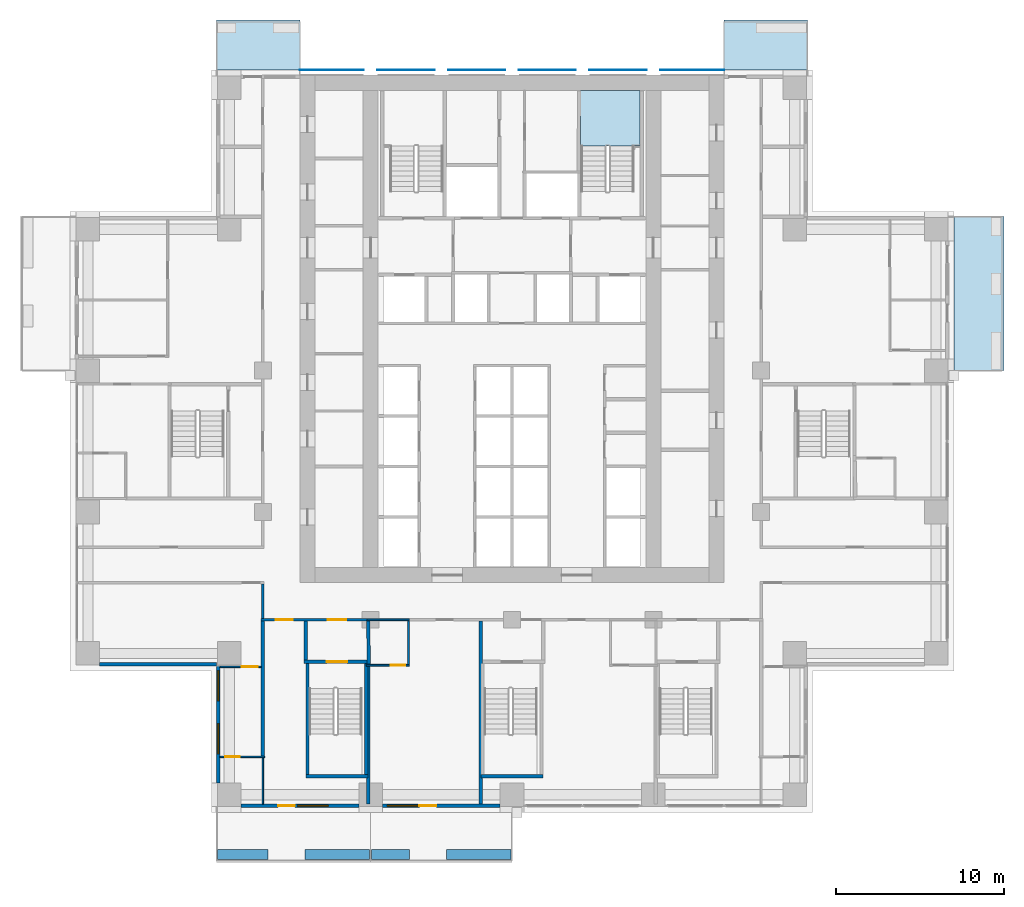
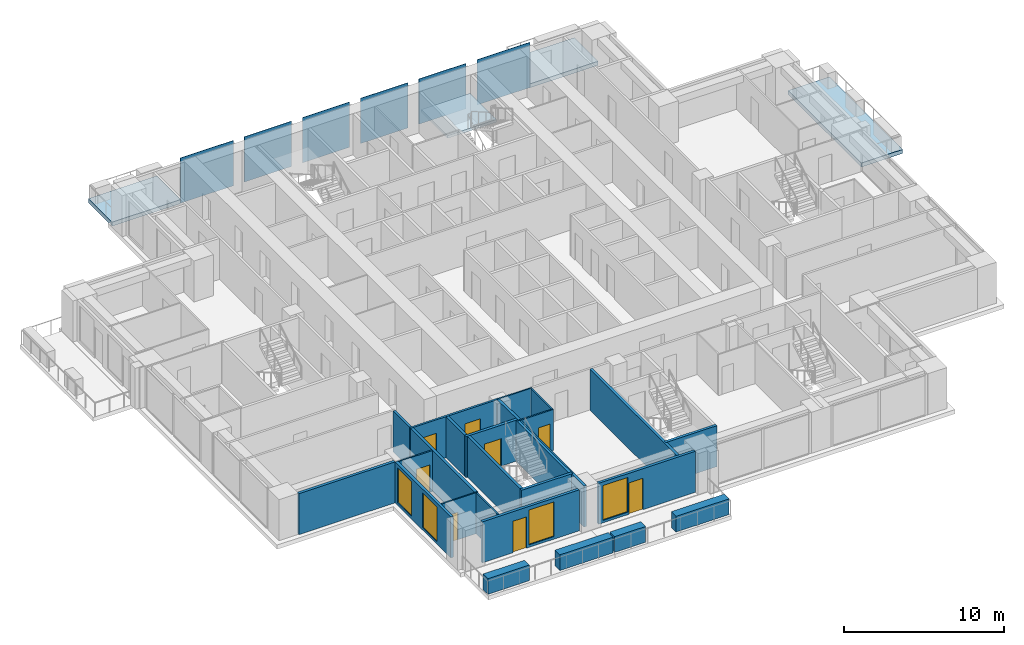
# One storey, part 6 of 16: 26 walls, 8 doors, 6 plates, 4 slabs, 4 windows, 12 openings, 1 element without a shape of its own.
"""IFC4 building model written with IfcOpenShell, lengths in metres."""

from ifc_helpers import new_model, si_unit, direction, frame, frame_2d, origin, origin_2d, place, context, subcontext, project, spatial, polyline, rectangle, outline, extrude, material, layer, layer_set, type_object, element, fill, aggregate, save


model = new_model("IFC4")

# Units and contexts
model_context = context("Model", 3, precision=1e-05, world=origin(), true_north=direction((0.0, 1.0)))
body_context = subcontext(model_context, "Body", "Model", "MODEL_VIEW")
ifc_project = project(units=[si_unit("LENGTHUNIT", "METRE"), si_unit("AREAUNIT", "SQUARE_METRE"), si_unit("VOLUMEUNIT", "CUBIC_METRE"), si_unit("PLANEANGLEUNIT", "RADIAN"), si_unit("MASSUNIT", "GRAM", prefix="KILO")], contexts=[model_context])

# Site, building, storey
site_placement = place(None, origin())
site = spatial("IfcSite", under=ifc_project, at=site_placement, CompositionType="ELEMENT")
building_placement = place(site_placement, origin())
building = spatial("IfcBuilding", under=site, at=building_placement, Name="Vermilion Ogive Tower", CompositionType="ELEMENT")
storey_placement = place(building_placement, frame((0.0, 0.0, 41.39990234375)))
storey = spatial("IfcBuildingStorey", under=building, at=storey_placement, Name="L08", CompositionType="ELEMENT", Elevation=41.39990234375)

# Slabs
ifc_material_1 = material(Name="Concrete B40", Category="concrete")
ifc_layer_1 = layer(ifc_material_1, 0.300048828125)
ifc_layer_set_1 = layer_set([ifc_layer_1], Name="Balcony slab")
slab_type_1 = type_object("IfcSlabType", Name="Balcony slab", PredefinedType="FLOOR", material=ifc_layer_set_1)
slab_1_placement = place(storey_placement, frame((0.0, 0.0, -0.33984375)))
element("IfcSlab", 1, at=slab_1_placement, inside=storey, type_object=slab_type_1, Name="Balcony slab E03", PredefinedType="FLOOR", context=body_context, shape_type="SweptSolid", body=[
    extrude(outline(polyline([(29.22998046875, 4.199951171875), (29.22998046875, 13.35009765625), (26.25, 13.35009765625), (26.25, 4.199951171875), (29.22998046875, 4.199951171875)])), origin(), (0.0, 0.0, 1.0), 0.300048828125),
])
slab_2_placement = place(storey_placement, frame((0.0, 0.0, -0.33984375)))
element("IfcSlab", 2, at=slab_2_placement, inside=storey, type_object=slab_type_1, Name="Balcony slab N101", PredefinedType="FLOOR", context=body_context, shape_type="SweptSolid", body=[
    extrude(outline(polyline([(17.550048828125, 25.030029296875), (12.60009765625, 25.030029296875), (12.60009765625, 22.050048828125), (17.550048828125, 22.050048828125), (17.550048828125, 25.030029296875)])), origin(), (0.0, 0.0, 1.0), 0.300048828125),
])
slab_3_placement = place(storey_placement, frame((0.0, 0.0, -0.33984375)))
element("IfcSlab", 3, at=slab_3_placement, inside=storey, type_object=slab_type_1, Name="Balcony slab N201", PredefinedType="FLOOR", context=body_context, shape_type="SweptSolid", body=[
    extrude(outline(polyline([(-12.60009765625, 25.030029296875), (-17.550048828125, 25.030029296875), (-17.550048828125, 22.050048828125), (-12.60009765625, 22.050048828125), (-12.60009765625, 25.030029296875)])), origin(), (0.0, 0.0, 1.0), 0.300048828125),
])

# Plates
ifc_material_2 = material(Name="Low-iron laminated glazing in aluminium frame", Category="aluminium")
ifc_layer_2 = layer(ifc_material_2, 0.031982421875)
ifc_layer_set_2 = layer_set([ifc_layer_2], Name="Glazed rainscreen sheet 32")
plate_type = type_object("IfcPlateType", Name="Glazed rainscreen sheet 32", PredefinedType="SHEET", material=ifc_layer_set_2)
plate_1_placement = place(storey_placement, frame((-10.7099609375, 22.06591796875, -0.31982421875), z_axis=(0.0, 0.0, 1.0), x_axis=(1.0, 0.0, 0.0)))
element("IfcPlate", 4, at=plate_1_placement, inside=storey, type_object=plate_type, Name="Glazed rainscreen sheet N1", PredefinedType="SHEET", context=body_context, shape_type="SweptSolid", body=[
    extrude(rectangle(XDim=3.820068359375, YDim=0.031982421875, at=origin_2d()), origin(), (0.0, 0.0, 1.0), 3.449951171875),
])
for number, where, z_axis, x_axis, name in (
    (5, (-6.300048828125, 22.06591796875, -0.31982421875), (0.0, 0.0, 1.0), (1.0, 0.0, 0.0), "Glazed rainscreen sheet N2"),
    (6, (-2.10009765625, 22.06591796875, -0.31982421875), (0.0, 0.0, 1.0), (1.0, 0.0, 0.0), "Glazed rainscreen sheet N3"),
    (7, (2.10009765625, 22.06591796875, -0.31982421875), (0.0, 0.0, 1.0), (1.0, 0.0, 0.0), "Glazed rainscreen sheet N4"),
    (8, (6.300048828125, 22.06591796875, -0.31982421875), (0.0, 0.0, 1.0), (1.0, 0.0, 0.0), "Glazed rainscreen sheet N5"),
):
    element("IfcPlate", number, at=place(storey_placement, frame(where, z_axis=z_axis, x_axis=x_axis)), inside=storey, type_object=plate_type, Name=name, PredefinedType="SHEET", context=body_context, shape_type="SweptSolid", body=[
        extrude(rectangle(XDim=3.39990234375, YDim=0.031982421875, at=origin_2d()), origin(), (0.0, 0.0, 1.0), 3.449951171875),
    ])
plate_2_placement = place(storey_placement, frame((10.7099609375, 22.06591796875, -0.31982421875), z_axis=(0.0, 0.0, 1.0), x_axis=(1.0, 0.0, 0.0)))
element("IfcPlate", 9, at=plate_2_placement, inside=storey, type_object=plate_type, Name="Glazed rainscreen sheet N6", PredefinedType="SHEET", context=body_context, shape_type="SweptSolid", body=[
    extrude(rectangle(XDim=3.820068359375, YDim=0.031982421875, at=origin_2d()), origin(), (0.0, 0.0, 1.0), 3.449951171875),
])

# Stair, slab
ifc_material_3 = material(Name="Concrete B40", Category="concrete")
stair_type = type_object("IfcStairType", Name="Exit stair 1500", PredefinedType="HALF_TURN_STAIR", material=ifc_material_3)
stair_placement = place(storey_placement, origin())
stair = element("IfcStair", 10, at=stair_placement, inside=storey, type_object=stair_type, Name="L08 Exit Stair ST2", PredefinedType="HALF_TURN_STAIR")
ifc_material_4 = material(Name="Concrete B40", Category="concrete")
ifc_layer_3 = layer(ifc_material_4, 0.199951171875)
ifc_layer_set_3 = layer_set([ifc_layer_3], Name="Stair landing 200")
slab_type_2 = type_object("IfcSlabType", Name="Stair landing 200", PredefinedType="LANDING", material=ifc_layer_set_3)
slab_4_placement = place(storey_placement, frame((0.0, 0.0, 1.525146484375)))
slab_4 = element("IfcSlab", 11, at=slab_4_placement, type_object=slab_type_2, Name="ST2 landing 1", PredefinedType="LANDING", context=body_context, shape_type="SweptSolid", body=[
    extrude(outline(polyline([(5.60009765625, 17.550048828125), (5.75, 17.550048828125), (5.75, 17.548095703125), (7.25, 17.548095703125), (7.25, 17.550048828125), (7.60009765625, 17.550048828125), (7.60009765625, 20.85009765625), (4.074951171875, 20.85009765625), (4.074951171875, 17.550048828125), (4.10009765625, 17.550048828125), (4.10009765625, 17.548095703125), (5.60009765625, 17.548095703125), (5.60009765625, 17.550048828125)])), origin(), (0.0, 0.0, 1.0), 0.199951171875),
])
aggregate(stair, [slab_4])

# Wall, opening, door
ifc_material_5 = material(Name="Gypsum board partition on steel studs", Category="steel")
ifc_layer_4 = layer(ifc_material_5, 0.10009765625)
ifc_layer_set_4 = layer_set([ifc_layer_4], Name="Partition 100 bath")
wall_type_1 = type_object("IfcWallType", Name="Partition 100 bath", PredefinedType="PARTITIONING", material=ifc_layer_set_4)
wall_1_placement = place(storey_placement, frame((-17.35009765625, -18.75, 0.0), z_axis=(0.0, 0.0, 1.0), x_axis=(1.0, 0.0, 0.0)))
wall_1 = element("IfcWall", 12, at=wall_1_placement, inside=storey, type_object=wall_type_1, Name="L08-W-W004", PredefinedType="PARTITIONING", context=body_context, shape_type="SweptSolid", body=[
    extrude(rectangle(XDim=2.650146484375, YDim=0.10009765625, at=frame_2d((1.3251953125, 0.0))), origin(), (0.0, 0.0, 1.0), 3.130126953125),
])
opening_1_placement = place(wall_1_placement, frame((0.3251953125, 0.0, 0.0)))
opening_1 = element("IfcOpeningElement", 13, at=opening_1_placement, cuts=wall_1, Name="Opening D1G2003", PredefinedType="OPENING", context=body_context, shape_type="SweptSolid", body=[
    extrude(rectangle(XDim=0.85009765625, YDim=2.10009765625, at=frame_2d((0.425048828125, 1.050048828125))), frame((0.0, 0.06005859375, 0.0), z_axis=(0.0, -1.0, 0.0), x_axis=(1.0, 0.0, 0.0)), (0.0, 0.0, 1.0), 0.1201171875),
])
ifc_material_6 = material(Name="Timber door leaf", Category="wood")
door_type_1 = type_object("IfcDoorType", Name="Bath door 850 x 2100 FD30", OperationType="SINGLE_SWING_LEFT", PredefinedType="DOOR", material=ifc_material_6)
door_1_placement = place(opening_1_placement, origin())
door_1 = element("IfcDoor", 14, at=door_1_placement, inside=storey, type_object=door_type_1, Name="L08-D-D003", OperationType="SINGLE_SWING_RIGHT", OverallHeight=2.10009765625, OverallWidth=0.85009765625, PredefinedType="DOOR", context=body_context, shape_type="SweptSolid", body=[
    extrude(rectangle(XDim=0.85009765625, YDim=2.10009765625, at=frame_2d((0.425048828125, 1.050048828125))), frame((0.0, 0.02490234375, 0.0), z_axis=(0.0, -1.0, 0.0), x_axis=(1.0, 0.0, 0.0)), (0.0, 0.0, 1.0), 0.050048828125),
])
fill(opening_1, door_1)

wall_2_placement = place(storey_placement, frame((-8.64990234375, -13.300048828125, 0.0), z_axis=(0.0, 0.0, 1.0), x_axis=(1.0, 0.0, 0.0)))
wall_2 = element("IfcWall", 15, at=wall_2_placement, inside=storey, type_object=wall_type_1, Name="L08-W-W008", PredefinedType="PARTITIONING", context=body_context, shape_type="SweptSolid", body=[
    extrude(rectangle(XDim=2.5498046875, YDim=0.10009765625, at=frame_2d((1.27490234375, 0.0))), origin(), (0.0, 0.0, 1.0), 3.130126953125),
])
opening_2_placement = place(wall_2_placement, frame((1.449951171875, 0.0, 0.0)))
opening_2 = element("IfcOpeningElement", 16, at=opening_2_placement, cuts=wall_2, Name="Opening D1G2012", PredefinedType="OPENING", context=body_context, shape_type="SweptSolid", body=[
    extrude(rectangle(XDim=0.85009765625, YDim=2.10009765625, at=frame_2d((0.425048828125, 1.050048828125))), frame((0.0, 0.06005859375, 0.0), z_axis=(0.0, -1.0, 0.0), x_axis=(1.0, 0.0, 0.0)), (0.0, 0.0, 1.0), 0.1201171875),
])
door_2_placement = place(opening_2_placement, origin())
door_2 = element("IfcDoor", 17, at=door_2_placement, inside=storey, type_object=door_type_1, Name="L08-D-D012", OperationType="SINGLE_SWING_LEFT", OverallHeight=2.10009765625, OverallWidth=0.85009765625, PredefinedType="DOOR", context=body_context, shape_type="SweptSolid", body=[
    extrude(rectangle(XDim=0.85009765625, YDim=2.10009765625, at=frame_2d((0.425048828125, 1.050048828125))), frame((0.0, 0.02490234375, 0.0), z_axis=(0.0, -1.0, 0.0), x_axis=(1.0, 0.0, 0.0)), (0.0, 0.0, 1.0), 0.050048828125),
])
fill(opening_2, door_2)

# Walls
wall_3_placement = place(storey_placement, frame((-8.60009765625, -10.60009765625, 0.0), z_axis=(0.0, 0.0, 1.0), x_axis=(1.0, 0.0, 0.0)))
element("IfcWall", 18, at=wall_3_placement, inside=storey, type_object=wall_type_1, Name="L08-W-W014", PredefinedType="PARTITIONING", context=body_context, shape_type="SweptSolid", body=[
    extrude(rectangle(XDim=2.5, YDim=0.10009765625, at=frame_2d((1.25, 0.0))), origin(), (0.0, 0.0, 1.0), 3.130126953125),
])
wall_4_placement = place(storey_placement, frame((-14.800048828125, -21.550048828125, 0.0), z_axis=(0.0, 0.0, 1.0), x_axis=(0.0, 1.0, 0.0)))
element("IfcWall", 19, at=wall_4_placement, inside=storey, type_object=wall_type_1, Name="L08-W-W045", PredefinedType="PARTITIONING", context=body_context, shape_type="SweptSolid", body=[
    extrude(rectangle(XDim=2.75, YDim=0.10009765625, at=frame_2d((1.375, 0.0))), origin(), (0.0, 0.0, 1.0), 3.130126953125),
])
wall_5_placement = place(storey_placement, frame((-6.14990234375, -13.25, 0.0), z_axis=(0.0, 0.0, 1.0), x_axis=(0.0, 1.0, 0.0)))
element("IfcWall", 20, at=wall_5_placement, inside=storey, type_object=wall_type_1, Name="L08-W-W054", PredefinedType="PARTITIONING", context=body_context, shape_type="SweptSolid", body=[
    extrude(rectangle(XDim=2.574951171875, YDim=0.10009765625, at=frame_2d((1.28759765625, 0.0))), origin(), (0.0, 0.0, 1.0), 3.130126953125),
])

# Wall, opening, door
ifc_material_7 = material(Name="Gypsum board partition on steel studs", Category="steel")
ifc_layer_5 = layer(ifc_material_7, 0.10009765625)
ifc_layer_set_5 = layer_set([ifc_layer_5], Name="Partition 100 inner")
wall_type_2 = type_object("IfcWallType", Name="Partition 100 inner", PredefinedType="PARTITIONING", material=ifc_layer_set_5)
wall_6_placement = place(storey_placement, frame((-17.35009765625, -13.39990234375, 0.0), z_axis=(0.0, 0.0, 1.0), x_axis=(1.0, 0.0, 0.0)))
wall_6 = element("IfcWall", 21, at=wall_6_placement, inside=storey, type_object=wall_type_2, Name="L08-W-W006", PredefinedType="PARTITIONING", context=body_context, shape_type="SweptSolid", body=[
    extrude(rectangle(XDim=2.4501953125, YDim=0.10009765625, at=frame_2d((1.22509765625, 0.0))), origin(), (0.0, 0.0, 1.0), 3.130126953125),
])
opening_3_placement = place(wall_6_placement, frame((1.300048828125, 0.0, 0.0)))
opening_3 = element("IfcOpeningElement", 22, at=opening_3_placement, cuts=wall_6, Name="Opening D1G2002", PredefinedType="OPENING", context=body_context, shape_type="SweptSolid", body=[
    extrude(rectangle(XDim=0.949951171875, YDim=2.10009765625, at=frame_2d((0.47509765625, 1.050048828125))), frame((0.0, 0.06005859375, 0.0), z_axis=(0.0, -1.0, 0.0), x_axis=(1.0, 0.0, 0.0)), (0.0, 0.0, 1.0), 0.1201171875),
])
ifc_material_8 = material(Name="Timber door leaf", Category="wood")
door_type_2 = type_object("IfcDoorType", Name="Inner door 950 x 2100 FD30", OperationType="SINGLE_SWING_LEFT", PredefinedType="DOOR", material=ifc_material_8)
door_3_placement = place(opening_3_placement, origin())
door_3 = element("IfcDoor", 23, at=door_3_placement, inside=storey, type_object=door_type_2, Name="L08-D-D002", OperationType="SINGLE_SWING_RIGHT", OverallHeight=2.10009765625, OverallWidth=0.949951171875, PredefinedType="DOOR", context=body_context, shape_type="SweptSolid", body=[
    extrude(rectangle(XDim=0.949951171875, YDim=2.10009765625, at=frame_2d((0.47509765625, 1.050048828125))), frame((0.0, 0.02490234375, 0.0), z_axis=(0.0, -1.0, 0.0), x_axis=(1.0, 0.0, 0.0)), (0.0, 0.0, 1.0), 0.050048828125),
])
fill(opening_3, door_3)

# Wall, openings, doors
ifc_material_9 = material(Name="Gypsum board partition on steel studs", Category="steel")
ifc_layer_6 = layer(ifc_material_9, 0.14990234375)
ifc_layer_set_6 = layer_set([ifc_layer_6], Name="Partition 150 corridor")
wall_type_3 = type_object("IfcWallType", Name="Partition 150 corridor", PredefinedType="PARTITIONING", material=ifc_layer_set_6)
wall_7_placement = place(storey_placement, frame((-14.89990234375, -10.60009765625, 0.0), z_axis=(0.0, 0.0, 1.0), x_axis=(1.0, 0.0, 0.0)))
wall_7 = element("IfcWall", 24, at=wall_7_placement, inside=storey, type_object=wall_type_3, Name="L08-W-W013", PredefinedType="PARTITIONING", context=body_context, shape_type="SweptSolid", body=[
    extrude(rectangle(XDim=6.39990234375, YDim=0.14990234375, at=frame_2d((3.199951171875, 0.0))), origin(), (0.0, 0.0, 1.0), 3.130126953125),
])
opening_4_placement = place(wall_7_placement, frame((3.949951171875, 0.0, 0.0)))
opening_4 = element("IfcOpeningElement", 25, at=opening_4_placement, cuts=wall_7, Name="Opening D1G2025", PredefinedType="OPENING", context=body_context, shape_type="SweptSolid", body=[
    extrude(rectangle(XDim=1.10009765625, YDim=2.10009765625, at=frame_2d((0.550048828125, 1.050048828125))), frame((0.0, 0.0849609375, 0.0), z_axis=(0.0, -1.0, 0.0), x_axis=(1.0, 0.0, 0.0)), (0.0, 0.0, 1.0), 0.169921875),
])
opening_5_placement = place(wall_7_placement, frame((0.875, 0.0, 0.0)))
opening_5 = element("IfcOpeningElement", 26, at=opening_5_placement, cuts=wall_7, Name="Opening D1G2035", PredefinedType="OPENING", context=body_context, shape_type="SweptSolid", body=[
    extrude(rectangle(XDim=1.0, YDim=2.10009765625, at=frame_2d((0.5, 1.050048828125))), frame((0.0, 0.0849609375, 0.0), z_axis=(0.0, -1.0, 0.0), x_axis=(1.0, 0.0, 0.0)), (0.0, 0.0, 1.0), 0.169921875),
])
ifc_material_10 = material(Name="Timber door leaf", Category="wood")
door_type_3 = type_object("IfcDoorType", Name="Stair door 1100 x 2100 FD60S", OperationType="SINGLE_SWING_LEFT", PredefinedType="DOOR", material=ifc_material_10)
door_4_placement = place(opening_4_placement, origin())
door_4 = element("IfcDoor", 27, at=door_4_placement, inside=storey, type_object=door_type_3, Name="L08-D-D025", OperationType="SINGLE_SWING_RIGHT", OverallHeight=2.10009765625, OverallWidth=1.10009765625, PredefinedType="DOOR", context=body_context, shape_type="SweptSolid", body=[
    extrude(rectangle(XDim=1.10009765625, YDim=2.10009765625, at=frame_2d((0.550048828125, 1.050048828125))), frame((0.0, 0.02490234375, 0.0), z_axis=(0.0, -1.0, 0.0), x_axis=(1.0, 0.0, 0.0)), (0.0, 0.0, 1.0), 0.050048828125),
])
fill(opening_4, door_4)
ifc_material_11 = material(Name="Timber door leaf", Category="wood")
door_type_4 = type_object("IfcDoorType", Name="Unit door 1000 x 2100 FD30S", OperationType="SINGLE_SWING_LEFT", PredefinedType="DOOR", material=ifc_material_11)
door_5_placement = place(opening_5_placement, origin())
door_5 = element("IfcDoor", 28, at=door_5_placement, inside=storey, type_object=door_type_4, Name="L08-D-D035", OperationType="SINGLE_SWING_RIGHT", OverallHeight=2.10009765625, OverallWidth=1.0, PredefinedType="DOOR", context=body_context, shape_type="SweptSolid", body=[
    extrude(rectangle(XDim=1.0, YDim=2.10009765625, at=frame_2d((0.5, 1.050048828125))), frame((0.0, 0.02490234375, 0.0), z_axis=(0.0, -1.0, 0.0), x_axis=(1.0, 0.0, 0.0)), (0.0, 0.0, 1.0), 0.050048828125),
])
fill(opening_5, door_5)

# Walls
wall_8_placement = place(storey_placement, frame((-14.800048828125, -10.52490234375, 0.0), z_axis=(0.0, 0.0, 1.0), x_axis=(0.0, 1.0, 0.0)))
element("IfcWall", 29, at=wall_8_placement, inside=storey, type_object=wall_type_3, Name="L08-W-W047", PredefinedType="PARTITIONING", context=body_context, shape_type="SweptSolid", body=[
    extrude(rectangle(XDim=2.0498046875, YDim=0.14990234375, at=frame_2d((1.02490234375, 0.0))), origin(), (0.0, 0.0, 1.0), 3.130126953125),
])
ifc_material_12 = material(Name="Gypsum board partition on steel studs", Category="steel")
ifc_layer_7 = layer(ifc_material_12, 0.199951171875)
ifc_layer_set_7 = layer_set([ifc_layer_7], Name="Partition 200 party")
wall_type_4 = type_object("IfcWallType", Name="Partition 200 party", PredefinedType="PARTITIONING", material=ifc_layer_set_7)
wall_9_placement = place(storey_placement, frame((-14.800048828125, -18.699951171875, 0.0), z_axis=(0.0, 0.0, 1.0), x_axis=(0.0, 1.0, 0.0)))
element("IfcWall", 30, at=wall_9_placement, inside=storey, type_object=wall_type_4, Name="L08-W-W046", PredefinedType="PARTITIONING", context=body_context, shape_type="SweptSolid", body=[
    extrude(rectangle(XDim=8.02490234375, YDim=0.199951171875, at=frame_2d((4.012451171875, 0.0))), origin(), (0.0, 0.0, 1.0), 3.130126953125),
])
ifc_material_13 = material(Name="Concrete B60", Category="concrete")
ifc_layer_8 = layer(ifc_material_13, 0.199951171875)
ifc_layer_set_8 = layer_set([ifc_layer_8], Name="Stair shaft wall 200 Concrete B60")
wall_type_5 = type_object("IfcWallType", Name="Stair shaft wall 200 Concrete B60", PredefinedType="SOLIDWALL", material=ifc_layer_set_8)
wall_10_placement = place(storey_placement, frame((-12.248046875, -19.89990234375, 0.0), z_axis=(0.0, 0.0, 1.0), x_axis=(1.0, 0.0, 0.0)))
element("IfcWall", 31, at=wall_10_placement, inside=storey, type_object=wall_type_5, Name="L08-W-W001", PredefinedType="SOLIDWALL", context=body_context, shape_type="SweptSolid", body=[
    extrude(rectangle(XDim=3.696044921875, YDim=0.199951171875, at=frame_2d((1.84814453125, 0.0))), origin(), (0.0, 0.0, 1.0), 3.130126953125),
])
wall_11_placement = place(storey_placement, frame((-1.847900390625, -19.89990234375, 0.0), z_axis=(0.0, 0.0, 1.0), x_axis=(1.0, 0.0, 0.0)))
element("IfcWall", 32, at=wall_11_placement, inside=storey, type_object=wall_type_5, Name="L08-W-W002", PredefinedType="SOLIDWALL", context=body_context, shape_type="SweptSolid", body=[
    extrude(rectangle(XDim=3.69580078125, YDim=0.199951171875, at=frame_2d((1.847900390625, 0.0))), origin(), (0.0, 0.0, 1.0), 3.130126953125),
])

# Wall, opening, door
wall_12_placement = place(storey_placement, frame((-12.347900390625, -13.10009765625, 0.0), z_axis=(0.0, 0.0, 1.0), x_axis=(1.0, 0.0, 0.0)))
wall_12 = element("IfcWall", 33, at=wall_12_placement, inside=storey, type_object=wall_type_5, Name="L08-W-W010", PredefinedType="SOLIDWALL", context=body_context, shape_type="SweptSolid", body=[
    extrude(rectangle(XDim=3.745849609375, YDim=0.199951171875, at=frame_2d((1.873046875, 0.0))), origin(), (0.0, 0.0, 1.0), 3.130126953125),
])
opening_6_placement = place(wall_12_placement, frame((1.347900390625, 0.0, 0.0)))
opening_6 = element("IfcOpeningElement", 34, at=opening_6_placement, cuts=wall_12, Name="Opening D1G2026", PredefinedType="OPENING", context=body_context, shape_type="SweptSolid", body=[
    extrude(rectangle(XDim=1.199951171875, YDim=2.10009765625, at=frame_2d((0.60009765625, 1.050048828125))), frame((0.0, 0.10986328125, 0.0), z_axis=(0.0, -1.0, 0.0), x_axis=(1.0, 0.0, 0.0)), (0.0, 0.0, 1.0), 0.219970703125),
])
ifc_material_14 = material(Name="Timber door leaf", Category="wood")
door_type_5 = type_object("IfcDoorType", Name="Stair door 1200 x 2100 FD60S", OperationType="SINGLE_SWING_LEFT", PredefinedType="DOOR", material=ifc_material_14)
door_6_placement = place(opening_6_placement, origin())
door_6 = element("IfcDoor", 35, at=door_6_placement, inside=storey, type_object=door_type_5, Name="L08-D-D026", OperationType="SINGLE_SWING_RIGHT", OverallHeight=2.10009765625, OverallWidth=1.199951171875, PredefinedType="DOOR", context=body_context, shape_type="SweptSolid", body=[
    extrude(rectangle(XDim=1.199951171875, YDim=2.10009765625, at=frame_2d((0.60009765625, 1.050048828125))), frame((0.0, 0.02490234375, 0.0), z_axis=(0.0, -1.0, 0.0), x_axis=(1.0, 0.0, 0.0)), (0.0, 0.0, 1.0), 0.050048828125),
])
fill(opening_6, door_6)

# Walls
wall_13_placement = place(storey_placement, frame((-12.25, -12.998046875, 0.0), z_axis=(0.0, 0.0, 1.0), x_axis=(0.0, 1.0, 0.0)))
element("IfcWall", 36, at=wall_13_placement, inside=storey, type_object=wall_type_5, Name="L08-W-W049", PredefinedType="SOLIDWALL", context=body_context, shape_type="SweptSolid", body=[
    extrude(rectangle(XDim=2.322998046875, YDim=0.199951171875, at=frame_2d((1.16162109375, 0.0))), origin(), (0.0, 0.0, 1.0), 3.130126953125),
])
for number, where, z_axis, x_axis, name in (
    (37, (-12.14990234375, -19.798095703125, 0.0), (0.0, 0.0, 1.0), (0.0, 1.0, 0.0), "L08-W-W050"),
    (38, (-8.64990234375, -19.798095703125, 0.0), (0.0, 0.0, 1.0), (0.0, 1.0, 0.0), "L08-W-W051"),
):
    element("IfcWall", number, at=place(storey_placement, frame(where, z_axis=z_axis, x_axis=x_axis)), inside=storey, type_object=wall_type_5, Name=name, PredefinedType="SOLIDWALL", context=body_context, shape_type="SweptSolid", body=[
        extrude(rectangle(XDim=6.59619140625, YDim=0.199951171875, at=frame_2d((3.298095703125, 0.0))), origin(), (0.0, 0.0, 1.0), 3.130126953125),
    ])
wall_14_placement = place(storey_placement, frame((-8.5, -13.25, 0.0), z_axis=(0.0, 0.0, 1.0), x_axis=(-0.019062755699, 0.999818289163, 0.0)))
element("IfcWall", 39, at=wall_14_placement, inside=storey, type_object=wall_type_5, Name="L08-W-W053", PredefinedType="SOLIDWALL", context=body_context, shape_type="SweptSolid", body=[
    extrude(rectangle(XDim=2.62548828125, YDim=0.199951171875, at=frame_2d((1.312744140625, 0.0))), origin(), (0.0, 0.0, 1.0), 3.130126953125),
])
wall_15_placement = place(storey_placement, frame((-8.550048828125, -21.550048828125, 0.0), z_axis=(0.0, 0.0, 1.0), x_axis=(0.0, 1.0, 0.0)))
element("IfcWall", 40, at=wall_15_placement, inside=storey, type_object=wall_type_5, Name="L08-W-W052-A", PredefinedType="SOLIDWALL", context=body_context, shape_type="SweptSolid", body=[
    extrude(rectangle(XDim=8.199951171875, YDim=0.199951171875, at=frame_2d((4.10009765625, 0.0))), origin(), (0.0, 0.0, 1.0), 3.130126953125),
])
wall_16_placement = place(storey_placement, frame((-1.85009765625, -21.550048828125, 0.0), z_axis=(0.0, 0.0, 1.0), x_axis=(0.0, 1.0, 0.0)))
element("IfcWall", 41, at=wall_16_placement, inside=storey, type_object=wall_type_5, Name="L08-W-W055-A", PredefinedType="SOLIDWALL", context=body_context, shape_type="SweptSolid", body=[
    extrude(rectangle(XDim=10.875, YDim=0.199951171875, at=frame_2d((5.4375, 0.0))), origin(), (0.0, 0.0, 1.0), 3.130126953125),
])
ifc_material_15 = material(Name="Concrete B40", Category="concrete")
ifc_layer_9 = layer(ifc_material_15, 0.60009765625)
ifc_layer_set_9 = layer_set([ifc_layer_9], Name="Structural planter")
wall_type_6 = type_object("IfcWallType", Name="Structural planter", PredefinedType="USERDEFINED", material=ifc_layer_set_9)
wall_17_placement = place(storey_placement, frame((-17.489990234375, -24.550048828125, -0.039794921875), z_axis=(0.0, 0.0, 1.0), x_axis=(1.0, 0.0, 0.0)))
element("IfcWall", 42, at=wall_17_placement, inside=storey, type_object=wall_type_6, Name="Planter S01A1", ObjectType="PLANTER", PredefinedType="USERDEFINED", context=body_context, shape_type="SweptSolid", body=[
    extrude(rectangle(XDim=2.989990234375, YDim=0.60009765625, at=frame_2d((1.4951171875, 0.0))), origin(), (0.0, 0.0, 1.0), 1.199951171875),
])
wall_18_placement = place(storey_placement, frame((-12.300048828125, -24.550048828125, -0.039794921875), z_axis=(0.0, 0.0, 1.0), x_axis=(1.0, 0.0, 0.0)))
element("IfcWall", 43, at=wall_18_placement, inside=storey, type_object=wall_type_6, Name="Planter S01A2", ObjectType="PLANTER", PredefinedType="USERDEFINED", context=body_context, shape_type="SweptSolid", body=[
    extrude(rectangle(XDim=3.840087890625, YDim=0.60009765625, at=frame_2d((1.919921875, 0.0))), origin(), (0.0, 0.0, 1.0), 1.199951171875),
])
wall_19_placement = place(storey_placement, frame((-8.340087890625, -24.550048828125, -0.039794921875), z_axis=(0.0, 0.0, 1.0), x_axis=(1.0, 0.0, 0.0)))
element("IfcWall", 44, at=wall_19_placement, inside=storey, type_object=wall_type_6, Name="Planter S02A1", ObjectType="PLANTER", PredefinedType="USERDEFINED", context=body_context, shape_type="SweptSolid", body=[
    extrude(rectangle(XDim=2.239990234375, YDim=0.60009765625, at=frame_2d((1.1201171875, 0.0))), origin(), (0.0, 0.0, 1.0), 1.199951171875),
])
wall_20_placement = place(storey_placement, frame((-3.89990234375, -24.550048828125, -0.039794921875), z_axis=(0.0, 0.0, 1.0), x_axis=(1.0, 0.0, 0.0)))
element("IfcWall", 45, at=wall_20_placement, inside=storey, type_object=wall_type_6, Name="Planter S02A2", ObjectType="PLANTER", PredefinedType="USERDEFINED", context=body_context, shape_type="SweptSolid", body=[
    extrude(rectangle(XDim=3.83984375, YDim=0.60009765625, at=frame_2d((1.919921875, 0.0))), origin(), (0.0, 0.0, 1.0), 1.199951171875),
])

# Wall, openings, door, window
ifc_material_16 = material(Name="Aluminium window wall framing", Category="aluminium")
ifc_layer_10 = layer(ifc_material_16, 0.199951171875)
ifc_layer_set_10 = layer_set([ifc_layer_10], Name="Window wall")
wall_type_7 = type_object("IfcWallType", Name="Window wall", PredefinedType="STANDARD", material=ifc_layer_set_10)
wall_21_placement = place(storey_placement, frame((-16.10009765625, -21.64990234375, 0.0), z_axis=(0.0, 0.0, 1.0), x_axis=(1.0, 0.0, 0.0)))
wall_21 = element("IfcWall", 46, at=wall_21_placement, inside=storey, type_object=wall_type_7, Name="Window wall S1", PredefinedType="STANDARD", context=body_context, shape_type="SweptSolid", body=[
    extrude(rectangle(XDim=7.0, YDim=0.199951171875, at=frame_2d((3.5, 0.0))), origin(), (0.0, 0.0, 1.0), 3.130126953125),
])
opening_7_placement = place(wall_21_placement, frame((3.3701171875, 0.0, 0.199951171875)))
opening_7 = element("IfcOpeningElement", 47, at=opening_7_placement, cuts=wall_21, Name="Opening W1-S96", PredefinedType="OPENING", context=body_context, shape_type="SweptSolid", body=[
    extrude(rectangle(XDim=1.800048828125, YDim=2.64990234375, at=frame_2d((0.89990234375, 1.324951171875))), frame((0.0, 0.10986328125, 0.0), z_axis=(0.0, -1.0, 0.0), x_axis=(1.0, 0.0, 0.0)), (0.0, 0.0, 1.0), 0.219970703125),
])
opening_8_placement = place(wall_21_placement, frame((2.199951171875, 0.0, 0.0)))
opening_8 = element("IfcOpeningElement", 48, at=opening_8_placement, cuts=wall_21, Name="Opening D1-S96", PredefinedType="OPENING", context=body_context, shape_type="SweptSolid", body=[
    extrude(rectangle(XDim=1.0, YDim=2.39990234375, at=frame_2d((0.5, 1.199951171875))), frame((0.0, 0.10986328125, 0.0), z_axis=(0.0, -1.0, 0.0), x_axis=(1.0, 0.0, 0.0)), (0.0, 0.0, 1.0), 0.219970703125),
])
ifc_material_17 = material(Name="Aluminium framed glazed door", Category="aluminium")
door_type_6 = type_object("IfcDoorType", Name="Balcony door D1", OperationType="SINGLE_SWING_LEFT", PredefinedType="DOOR", material=ifc_material_17)
door_7_placement = place(opening_8_placement, origin())
door_7 = element("IfcDoor", 49, at=door_7_placement, inside=storey, type_object=door_type_6, Name="Balcony door S96", OperationType="SINGLE_SWING_LEFT", OverallHeight=2.39990234375, OverallWidth=1.0, PredefinedType="DOOR", context=body_context, shape_type="SweptSolid", body=[
    extrude(rectangle(XDim=1.0, YDim=2.39990234375, at=frame_2d((0.5, 1.199951171875))), frame((0.0, 0.02490234375, 0.0), z_axis=(0.0, -1.0, 0.0), x_axis=(1.0, 0.0, 0.0)), (0.0, 0.0, 1.0), 0.050048828125),
])
fill(opening_8, door_7)
ifc_material_18 = material(Name="Aluminium framed double glazing", Category="aluminium")
window_type = type_object("IfcWindowType", Name="Guest window W1", PartitioningType="SINGLE_PANEL", PredefinedType="WINDOW", material=ifc_material_18)
window_1_placement = place(opening_7_placement, origin())
window_1 = element("IfcWindow", 50, at=window_1_placement, inside=storey, type_object=window_type, Name="Window S96", OverallHeight=2.64990234375, OverallWidth=1.800048828125, PartitioningType="SINGLE_PANEL", PredefinedType="WINDOW", context=body_context, shape_type="SweptSolid", body=[
    extrude(rectangle(XDim=1.800048828125, YDim=2.64990234375, at=frame_2d((0.89990234375, 1.324951171875))), frame((0.0, 0.030029296875, 0.0), z_axis=(0.0, -1.0, 0.0), x_axis=(1.0, 0.0, 0.0)), (0.0, 0.0, 1.0), 0.06005859375),
])
fill(opening_7, window_1)

wall_22_placement = place(storey_placement, frame((-7.699951171875, -21.64990234375, 0.0), z_axis=(0.0, 0.0, 1.0), x_axis=(1.0, 0.0, 0.0)))
wall_22 = element("IfcWall", 51, at=wall_22_placement, inside=storey, type_object=wall_type_7, Name="Window wall S2", PredefinedType="STANDARD", context=body_context, shape_type="SweptSolid", body=[
    extrude(rectangle(XDim=7.0, YDim=0.199951171875, at=frame_2d((3.5, 0.0))), origin(), (0.0, 0.0, 1.0), 3.130126953125),
])
opening_9_placement = place(wall_22_placement, frame((0.300048828125, 0.0, 0.199951171875)))
opening_9 = element("IfcOpeningElement", 52, at=opening_9_placement, cuts=wall_22, Name="Opening W1-S98", PredefinedType="OPENING", context=body_context, shape_type="SweptSolid", body=[
    extrude(rectangle(XDim=1.800048828125, YDim=2.64990234375, at=frame_2d((0.89990234375, 1.324951171875))), frame((0.0, 0.10986328125, 0.0), z_axis=(0.0, -1.0, 0.0), x_axis=(1.0, 0.0, 0.0)), (0.0, 0.0, 1.0), 0.219970703125),
])
opening_10_placement = place(wall_22_placement, frame((2.199951171875, 0.0, 0.0)))
opening_10 = element("IfcOpeningElement", 53, at=opening_10_placement, cuts=wall_22, Name="Opening D1-S98", PredefinedType="OPENING", context=body_context, shape_type="SweptSolid", body=[
    extrude(rectangle(XDim=1.0, YDim=2.39990234375, at=frame_2d((0.5, 1.199951171875))), frame((0.0, 0.10986328125, 0.0), z_axis=(0.0, -1.0, 0.0), x_axis=(1.0, 0.0, 0.0)), (0.0, 0.0, 1.0), 0.219970703125),
])
door_8_placement = place(opening_10_placement, origin())
door_8 = element("IfcDoor", 54, at=door_8_placement, inside=storey, type_object=door_type_6, Name="Balcony door S98", OperationType="SINGLE_SWING_LEFT", OverallHeight=2.39990234375, OverallWidth=1.0, PredefinedType="DOOR", context=body_context, shape_type="SweptSolid", body=[
    extrude(rectangle(XDim=1.0, YDim=2.39990234375, at=frame_2d((0.5, 1.199951171875))), frame((0.0, 0.02490234375, 0.0), z_axis=(0.0, -1.0, 0.0), x_axis=(1.0, 0.0, 0.0)), (0.0, 0.0, 1.0), 0.050048828125),
])
fill(opening_10, door_8)
window_2_placement = place(opening_9_placement, origin())
window_2 = element("IfcWindow", 55, at=window_2_placement, inside=storey, type_object=window_type, Name="Window S98", OverallHeight=2.64990234375, OverallWidth=1.800048828125, PartitioningType="SINGLE_PANEL", PredefinedType="WINDOW", context=body_context, shape_type="SweptSolid", body=[
    extrude(rectangle(XDim=1.800048828125, YDim=2.64990234375, at=frame_2d((0.89990234375, 1.324951171875))), frame((0.0, 0.030029296875, 0.0), z_axis=(0.0, -1.0, 0.0), x_axis=(1.0, 0.0, 0.0)), (0.0, 0.0, 1.0), 0.06005859375),
])
fill(opening_9, window_2)

# Wall
wall_23_placement = place(storey_placement, frame((-24.5, -13.25, 0.0), z_axis=(0.0, 0.0, 1.0), x_axis=(1.0, 0.0, 0.0)))
element("IfcWall", 56, at=wall_23_placement, inside=storey, type_object=wall_type_7, Name="Window wall X71", PredefinedType="STANDARD", context=body_context, shape_type="SweptSolid", body=[
    extrude(rectangle(XDim=6.949951171875, YDim=0.199951171875, at=frame_2d((3.47509765625, 0.0))), origin(), (0.0, 0.0, 1.0), 3.130126953125),
])

# Wall, openings, windows
wall_24_placement = place(storey_placement, frame((-17.449951171875, -13.35009765625, 0.0), z_axis=(0.0, 0.0, 1.0), x_axis=(0.0, -1.0, 0.0)))
wall_24 = element("IfcWall", 57, at=wall_24_placement, inside=storey, type_object=wall_type_7, Name="Window wall X81", PredefinedType="STANDARD", context=body_context, shape_type="SweptSolid", body=[
    extrude(rectangle(XDim=6.949951171875, YDim=0.199951171875, at=frame_2d((3.47509765625, 0.0))), origin(), (0.0, 0.0, 1.0), 3.130126953125),
])
opening_11_placement = place(wall_24_placement, frame((3.419921875, 0.0, 0.199951171875)))
opening_11 = element("IfcOpeningElement", 58, at=opening_11_placement, cuts=wall_24, Name="Opening W1-X895", PredefinedType="OPENING", context=body_context, shape_type="SweptSolid", body=[
    extrude(rectangle(XDim=1.800048828125, YDim=2.64990234375, at=frame_2d((0.89990234375, 1.324951171875))), frame((0.0, 0.10986328125, 0.0), z_axis=(0.0, -1.0, 0.0), x_axis=(1.0, 0.0, 0.0)), (0.0, 0.0, 1.0), 0.219970703125),
])
opening_12_placement = place(wall_24_placement, frame((0.27490234375, 0.0, 0.199951171875)))
opening_12 = element("IfcOpeningElement", 59, at=opening_12_placement, cuts=wall_24, Name="Opening W1-X896", PredefinedType="OPENING", context=body_context, shape_type="SweptSolid", body=[
    extrude(rectangle(XDim=1.800048828125, YDim=2.64990234375, at=frame_2d((0.89990234375, 1.324951171875))), frame((0.0, 0.10986328125, 0.0), z_axis=(0.0, -1.0, 0.0), x_axis=(1.0, 0.0, 0.0)), (0.0, 0.0, 1.0), 0.219970703125),
])
window_3_placement = place(opening_11_placement, origin())
window_3 = element("IfcWindow", 60, at=window_3_placement, inside=storey, type_object=window_type, Name="Window X895", OverallHeight=2.64990234375, OverallWidth=1.800048828125, PartitioningType="SINGLE_PANEL", PredefinedType="WINDOW", context=body_context, shape_type="SweptSolid", body=[
    extrude(rectangle(XDim=1.800048828125, YDim=2.64990234375, at=frame_2d((0.89990234375, 1.324951171875))), frame((0.0, 0.030029296875, 0.0), z_axis=(0.0, -1.0, 0.0), x_axis=(1.0, 0.0, 0.0)), (0.0, 0.0, 1.0), 0.06005859375),
])
fill(opening_11, window_3)
window_4_placement = place(opening_12_placement, origin())
window_4 = element("IfcWindow", 61, at=window_4_placement, inside=storey, type_object=window_type, Name="Window X896", OverallHeight=2.64990234375, OverallWidth=1.800048828125, PartitioningType="SINGLE_PANEL", PredefinedType="WINDOW", context=body_context, shape_type="SweptSolid", body=[
    extrude(rectangle(XDim=1.800048828125, YDim=2.64990234375, at=frame_2d((0.89990234375, 1.324951171875))), frame((0.0, 0.030029296875, 0.0), z_axis=(0.0, -1.0, 0.0), x_axis=(1.0, 0.0, 0.0)), (0.0, 0.0, 1.0), 0.06005859375),
])
fill(opening_12, window_4)

save(model, "model.ifc")
